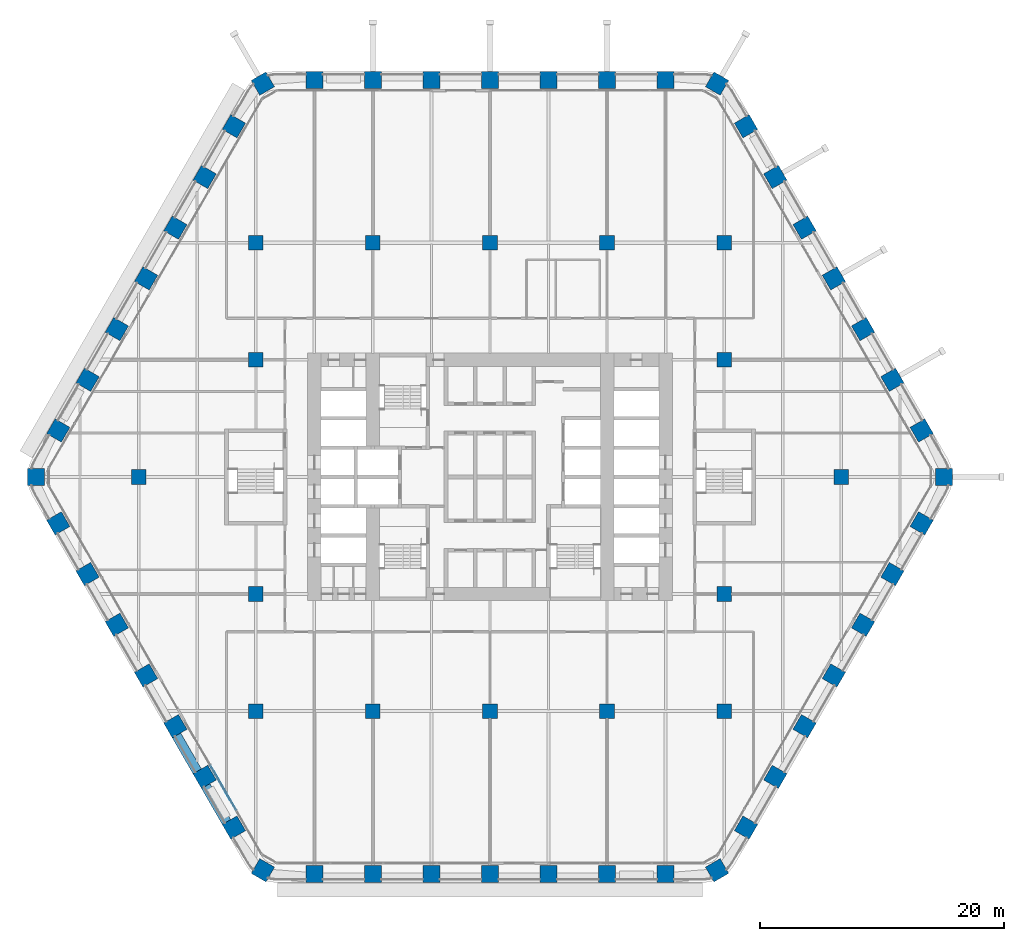
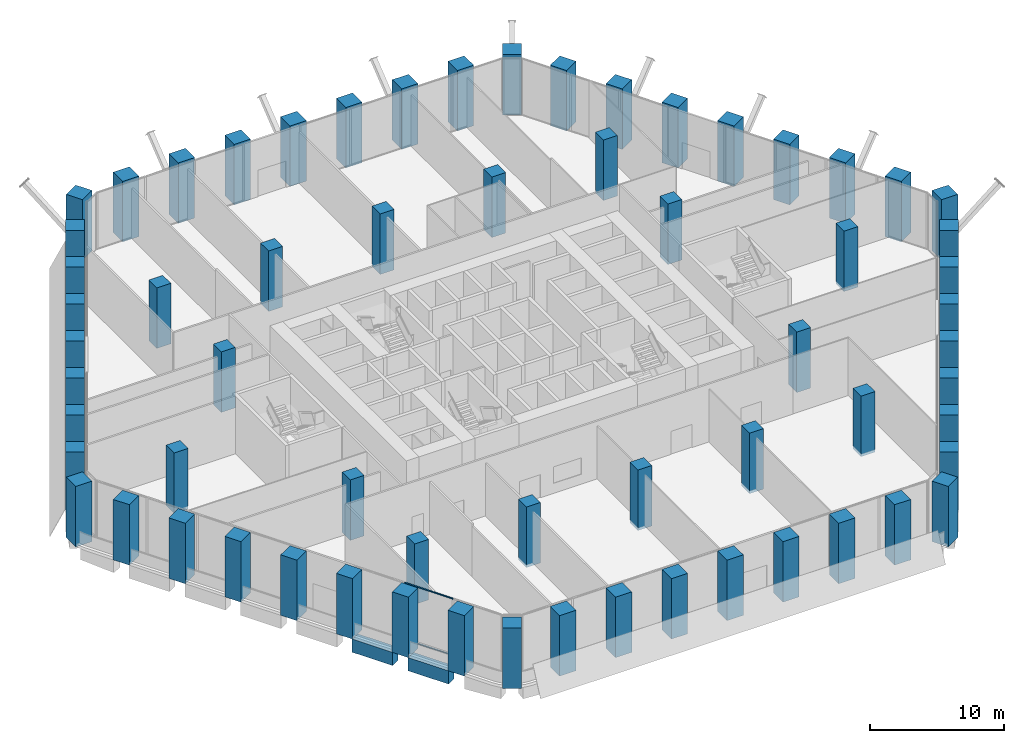
# One storey, part 1 of 29: 64 columns, 2 beams, 2 members, 1 element without a shape of its own.
"""IFC4 building model written with IfcOpenShell, lengths in metres."""

from ifc_helpers import new_model, si_unit, direction, frame, origin, origin_2d, place, context, subcontext, project, spatial, rectangle, extrude, material, material_profile, profile_set, type_object, element, aggregate, save


model = new_model("IFC4")

# Units and contexts
model_context = context("Model", 3, precision=1e-05, world=origin(), true_north=direction((0.0, 1.0)))
body_context = subcontext(model_context, "Body", "Model", "MODEL_VIEW")
ifc_project = project(units=[si_unit("LENGTHUNIT", "METRE"), si_unit("AREAUNIT", "SQUARE_METRE"), si_unit("VOLUMEUNIT", "CUBIC_METRE"), si_unit("PLANEANGLEUNIT", "RADIAN"), si_unit("MASSUNIT", "GRAM", prefix="KILO")], contexts=[model_context])

# Site, building, storey
site_placement = place(None, origin())
site = spatial("IfcSite", under=ifc_project, at=site_placement, CompositionType="ELEMENT")
building_placement = place(site_placement, origin())
building = spatial("IfcBuilding", under=site, at=building_placement, Name="Kolab Exchange Tower", CompositionType="ELEMENT")
storey_placement = place(building_placement, frame((0.0, 0.0, 33.39990234375)))
storey = spatial("IfcBuildingStorey", under=building, at=storey_placement, Name="L06", CompositionType="ELEMENT", Elevation=33.39990234375)

# Columns
ifc_material_1 = material(Name="Concrete C80/95", Category="concrete")
ifc_material_profile_1 = material_profile(ifc_material_1, rectangle(XDim=1.199951171875, YDim=1.199951171875, at=origin_2d()), Name="RC1200")
ifc_profile_set_1 = profile_set([ifc_material_profile_1], Name="Concrete C80/95")
column_type_1 = type_object("IfcColumnType", Name="INTERIOR COLUMN 1200 SQ C80/95", PredefinedType="COLUMN", material=ifc_profile_set_1)
for number, where, z_axis, x_axis, name in (
    (1, (-28.800048828125, 0.0, -0.25), (0.0, 0.0, 1.0), (1.0, 0.0, 0.0), "col/L06/I-G11"),
    (2, (-19.199951171875, -19.199951171875, -0.25), (0.0, 0.0, 1.0), (1.0, 0.0, 0.0), "col/L06/I-I7"),
    (3, (-19.199951171875, -9.60009765625, -0.25), (0.0, 0.0, 1.0), (1.0, 0.0, 0.0), "col/L06/I-I9"),
    (4, (-19.199951171875, 9.60009765625, -0.25), (0.0, 0.0, 1.0), (1.0, 0.0, 0.0), "col/L06/I-I13"),
    (5, (-19.199951171875, 19.199951171875, -0.25), (0.0, 0.0, 1.0), (1.0, 0.0, 0.0), "col/L06/I-I15"),
    (6, (-9.60009765625, -19.199951171875, -0.25), (0.0, 0.0, 1.0), (1.0, 0.0, 0.0), "col/L06/I-K7"),
    (7, (-9.60009765625, 19.199951171875, -0.25), (0.0, 0.0, 1.0), (1.0, 0.0, 0.0), "col/L06/I-K15"),
    (8, (0.0, -19.199951171875, -0.25), (0.0, 0.0, 1.0), (1.0, 0.0, 0.0), "col/L06/I-M7"),
    (9, (0.0, 19.199951171875, -0.25), (0.0, 0.0, 1.0), (1.0, 0.0, 0.0), "col/L06/I-M15"),
    (10, (9.60009765625, -19.199951171875, -0.25), (0.0, 0.0, 1.0), (1.0, 0.0, 0.0), "col/L06/I-O7"),
    (11, (9.60009765625, 19.199951171875, -0.25), (0.0, 0.0, 1.0), (1.0, 0.0, 0.0), "col/L06/I-O15"),
    (12, (19.199951171875, -19.199951171875, -0.25), (0.0, 0.0, 1.0), (1.0, 0.0, 0.0), "col/L06/I-Q7"),
    (13, (19.199951171875, -9.60009765625, -0.25), (0.0, 0.0, 1.0), (1.0, 0.0, 0.0), "col/L06/I-Q9"),
    (14, (19.199951171875, 9.60009765625, -0.25), (0.0, 0.0, 1.0), (1.0, 0.0, 0.0), "col/L06/I-Q13"),
    (15, (19.199951171875, 19.199951171875, -0.25), (0.0, 0.0, 1.0), (1.0, 0.0, 0.0), "col/L06/I-Q15"),
    (16, (28.800048828125, 0.0, -0.25), (0.0, 0.0, 1.0), (1.0, 0.0, 0.0), "col/L06/I-S11"),
):
    element("IfcColumn", number, at=place(storey_placement, frame(where, z_axis=z_axis, x_axis=x_axis)), inside=storey, type_object=column_type_1, Name=name, PredefinedType="COLUMN", context=body_context, shape_type="SweptSolid", body=[
        extrude(rectangle(XDim=1.199951171875, YDim=1.199951171875, at=origin_2d()), origin(), (0.0, 0.0, 1.0), 5.5),
    ])
ifc_material_profile_2 = material_profile(ifc_material_1, rectangle(XDim=1.39990234375, YDim=1.39990234375, at=origin_2d()), Name="RC1400")
ifc_profile_set_2 = profile_set([ifc_material_profile_2], Name="Concrete C80/95")
column_type_2 = type_object("IfcColumnType", Name="PERIMETER COLUMN 1400 SQ C80/95", PredefinedType="COLUMN", material=ifc_profile_set_2)
for number, where, z_axis, x_axis, name in (
    (17, (-18.617919921875, 32.247314453125, -0.25), (0.0, 0.0, 1.0), (0.866025403784, 0.5, 0.0), "col/L06/F1-01"),
    (18, (-14.39990234375, 32.555419921875, -0.25), (0.0, 0.0, 1.0), (1.0, 0.0, 0.0), "col/L06/F1-02"),
    (19, (-9.60009765625, 32.555419921875, -0.25), (0.0, 0.0, 1.0), (1.0, 0.0, 0.0), "col/L06/F1-03"),
    (20, (-4.800048828125, 32.555419921875, -0.25), (0.0, 0.0, 1.0), (1.0, 0.0, 0.0), "col/L06/F1-04"),
    (21, (0.0, 32.555419921875, -0.25), (0.0, 0.0, 1.0), (1.0, 0.0, 0.0), "col/L06/F1-05"),
    (22, (4.800048828125, 32.555419921875, -0.25), (0.0, 0.0, 1.0), (1.0, 0.0, 0.0), "col/L06/F1-06"),
    (23, (9.60009765625, 32.555419921875, -0.25), (0.0, 0.0, 1.0), (1.0, 0.0, 0.0), "col/L06/F1-07"),
    (24, (14.39990234375, 32.555419921875, -0.25), (0.0, 0.0, 1.0), (1.0, 0.0, 0.0), "col/L06/F1-08"),
    (25, (18.617919921875, 32.247314453125, -0.25), (0.0, 0.0, 1.0), (0.5, 0.866025403784, 0.0), "col/L06/F2-01"),
    (26, (20.993896484375, 28.74853515625, -0.25), (0.0, 0.0, 1.0), (0.866025403784, 0.5, 0.0), "col/L06/F2-02"),
    (27, (23.393798828125, 24.591552734375, -0.25), (0.0, 0.0, 1.0), (0.866025403784, 0.5, 0.0), "col/L06/F2-03"),
    (28, (25.793701171875, 20.4345703125, -0.25), (0.0, 0.0, 1.0), (0.866025403784, 0.5, 0.0), "col/L06/F2-04"),
    (29, (28.19384765625, 16.277587890625, -0.25), (0.0, 0.0, 1.0), (0.866025403784, 0.5, 0.0), "col/L06/F2-05"),
    (30, (30.59375, 12.120849609375, -0.25), (0.0, 0.0, 1.0), (0.866025403784, 0.5, 0.0), "col/L06/F2-06"),
    (31, (32.993896484375, 7.9638671875, -0.25), (0.0, 0.0, 1.0), (0.866025403784, 0.5, 0.0), "col/L06/F2-07"),
    (32, (35.393798828125, 3.806884765625, -0.25), (0.0, 0.0, 1.0), (0.866025403784, 0.5, 0.0), "col/L06/F2-08"),
    (33, (37.23583984375, 0.0, -0.25), (0.0, 0.0, 1.0), (1.0, 0.0, 0.0), "col/L06/F3-01"),
    (34, (35.393798828125, -3.806884765625, -0.25), (0.0, 0.0, 1.0), (0.5, 0.866025403784, 0.0), "col/L06/F3-02"),
    (35, (32.993896484375, -7.9638671875, -0.25), (0.0, 0.0, 1.0), (0.5, 0.866025403784, 0.0), "col/L06/F3-03"),
    (36, (30.59375, -12.120849609375, -0.25), (0.0, 0.0, 1.0), (0.5, 0.866025403784, 0.0), "col/L06/F3-04"),
    (37, (28.19384765625, -16.277587890625, -0.25), (0.0, 0.0, 1.0), (0.5, 0.866025403784, 0.0), "col/L06/F3-05"),
    (38, (25.793701171875, -20.4345703125, -0.25), (0.0, 0.0, 1.0), (0.5, 0.866025403784, 0.0), "col/L06/F3-06"),
    (39, (23.393798828125, -24.591552734375, -0.25), (0.0, 0.0, 1.0), (0.5, 0.866025403784, 0.0), "col/L06/F3-07"),
    (40, (20.993896484375, -28.74853515625, -0.25), (0.0, 0.0, 1.0), (0.5, 0.866025403784, 0.0), "col/L06/F3-08"),
    (41, (18.617919921875, -32.247314453125, -0.25), (0.0, 0.0, 1.0), (0.866025403784, 0.5, 0.0), "col/L06/F4-01"),
    (42, (14.39990234375, -32.555419921875, -0.25), (0.0, 0.0, 1.0), (1.0, 0.0, 0.0), "col/L06/F4-02"),
    (43, (9.60009765625, -32.555419921875, -0.25), (0.0, 0.0, 1.0), (1.0, 0.0, 0.0), "col/L06/F4-03"),
    (44, (4.800048828125, -32.555419921875, -0.25), (0.0, 0.0, 1.0), (1.0, 0.0, 0.0), "col/L06/F4-04"),
    (45, (0.0, -32.555419921875, -0.25), (0.0, 0.0, 1.0), (1.0, 0.0, 0.0), "col/L06/F4-05"),
    (46, (-4.800048828125, -32.555419921875, -0.25), (0.0, 0.0, 1.0), (1.0, 0.0, 0.0), "col/L06/F4-06"),
    (47, (-9.60009765625, -32.555419921875, -0.25), (0.0, 0.0, 1.0), (1.0, 0.0, 0.0), "col/L06/F4-07"),
    (48, (-14.39990234375, -32.555419921875, -0.25), (0.0, 0.0, 1.0), (1.0, 0.0, 0.0), "col/L06/F4-08"),
    (49, (-18.617919921875, -32.247314453125, -0.25), (0.0, 0.0, 1.0), (0.5, 0.866025403784, 0.0), "col/L06/F5-01"),
    (50, (-20.993896484375, -28.74853515625, -0.25), (0.0, 0.0, 1.0), (0.866025403784, 0.5, 0.0), "col/L06/F5-02"),
    (51, (-23.393798828125, -24.591552734375, -0.25), (0.0, 0.0, 1.0), (0.866025403784, 0.5, 0.0), "col/L06/F5-03"),
    (52, (-25.793701171875, -20.4345703125, -0.25), (0.0, 0.0, 1.0), (0.866025403784, 0.5, 0.0), "col/L06/F5-04"),
    (53, (-28.19384765625, -16.277587890625, -0.25), (0.0, 0.0, 1.0), (0.866025403784, 0.5, 0.0), "col/L06/F5-05"),
    (54, (-30.59375, -12.120849609375, -0.25), (0.0, 0.0, 1.0), (0.866025403784, 0.5, 0.0), "col/L06/F5-06"),
    (55, (-32.993896484375, -7.9638671875, -0.25), (0.0, 0.0, 1.0), (0.866025403784, 0.5, 0.0), "col/L06/F5-07"),
    (56, (-35.393798828125, -3.806884765625, -0.25), (0.0, 0.0, 1.0), (0.866025403784, 0.5, 0.0), "col/L06/F5-08"),
    (57, (-37.23583984375, 0.0, -0.25), (0.0, 0.0, 1.0), (1.0, 0.0, 0.0), "col/L06/F6-01"),
    (58, (-35.393798828125, 3.806884765625, -0.25), (0.0, 0.0, 1.0), (0.5, 0.866025403784, 0.0), "col/L06/F6-02"),
    (59, (-32.993896484375, 7.9638671875, -0.25), (0.0, 0.0, 1.0), (0.5, 0.866025403784, 0.0), "col/L06/F6-03"),
    (60, (-30.59375, 12.120849609375, -0.25), (0.0, 0.0, 1.0), (0.5, 0.866025403784, 0.0), "col/L06/F6-04"),
    (61, (-28.19384765625, 16.277587890625, -0.25), (0.0, 0.0, 1.0), (0.5, 0.866025403784, 0.0), "col/L06/F6-05"),
    (62, (-25.793701171875, 20.4345703125, -0.25), (0.0, 0.0, 1.0), (0.5, 0.866025403784, 0.0), "col/L06/F6-06"),
    (63, (-23.393798828125, 24.591552734375, -0.25), (0.0, 0.0, 1.0), (0.5, 0.866025403784, 0.0), "col/L06/F6-07"),
    (64, (-20.993896484375, 28.74853515625, -0.25), (0.0, 0.0, 1.0), (0.5, 0.866025403784, 0.0), "col/L06/F6-08"),
):
    element("IfcColumn", number, at=place(storey_placement, frame(where, z_axis=z_axis, x_axis=x_axis)), inside=storey, type_object=column_type_2, Name=name, PredefinedType="COLUMN", context=body_context, shape_type="SweptSolid", body=[
        extrude(rectangle(XDim=1.39990234375, YDim=1.39990234375, at=origin_2d()), origin(), (0.0, 0.0, 1.0), 5.5),
    ])

# Beams
ifc_material_profile_3 = material_profile(ifc_material_1, rectangle(XDim=0.800048828125, YDim=1.199951171875, at=origin_2d()), Name="RC800X1200")
ifc_profile_set_3 = profile_set([ifc_material_profile_3], Name="Concrete C80/95")
beam_type = type_object("IfcBeamType", Name="SPANDREL BEAM 800X1200 C80/95", PredefinedType="BEAM", material=ifc_profile_set_3)
beam_1_placement = place(storey_placement, frame((-21.58349609375, -28.326904296875, -0.849853515625), z_axis=(-0.499979528911, 0.866037222451, 0.0), x_axis=(-0.866037222451, -0.499979528911, 0.0)))
element("IfcBeam", 65, at=beam_1_placement, inside=storey, type_object=beam_type, Name="beam/L06/sp/F5-02", PredefinedType="BEAM", context=body_context, shape_type="SweptSolid", body=[
    extrude(rectangle(XDim=0.800048828125, YDim=1.199951171875, at=origin_2d()), origin(), (0.0, 0.0, 1.0), 3.480224609375),
])
beam_2_placement = place(storey_placement, frame((-23.983642578125, -24.169921875, -0.849853515625), z_axis=(-0.500009906705, 0.86601968407, 0.0), x_axis=(-0.86601968407, -0.500009906705, 0.0)))
element("IfcBeam", 66, at=beam_2_placement, inside=storey, type_object=beam_type, Name="beam/L06/sp/F5-03", PredefinedType="BEAM", context=body_context, shape_type="SweptSolid", body=[
    extrude(rectangle(XDim=0.800048828125, YDim=1.199951171875, at=origin_2d()), origin(), (0.0, 0.0, 1.0), 3.47998046875),
])

# Curtain wall, members
ifc_material_2 = material(Name="Aluminium EN AW-6063 T6", Category="aluminium")
curtain_wall_type = type_object("IfcCurtainWallType", Name="UNITISED LOW ZONE CURTAIN WALL", PredefinedType="NOTDEFINED", material=ifc_material_2)
curtain_wall_placement = place(storey_placement, origin())
curtain_wall = element("IfcCurtainWall", 67, at=curtain_wall_placement, inside=storey, type_object=curtain_wall_type, Name="cw/L06/F5-1", PredefinedType="NOTDEFINED")
ifc_material_profile_4 = material_profile(ifc_material_2, rectangle(XDim=0.06005859375, YDim=0.10009765625, at=origin_2d()), Name="RECT 60X100")
ifc_profile_set_4 = profile_set([ifc_material_profile_4], Name="Aluminium EN AW-6063 T6")
member_type = type_object("IfcMemberType", Name="UNITISED LOW ZONE TRANSOM 60 X 100", PredefinedType="USERDEFINED", material=ifc_profile_set_4)
member_1_placement = place(storey_placement, frame((-20.823974609375, -27.282470703125, 0.030029296875), z_axis=(-0.49999322259, 0.866029316688, 0.0), x_axis=(-0.866029316688, -0.49999322259, 0.0)))
member_1 = element("IfcMember", 68, at=member_1_placement, type_object=member_type, Name="CW1 transom 2.1", ObjectType="TRANSOM", PredefinedType="USERDEFINED", context=body_context, shape_type="SweptSolid", body=[
    extrude(rectangle(XDim=0.06005859375, YDim=0.10009765625, at=origin_2d()), origin(), (0.0, 0.0, 1.0), 4.16259765625),
])
member_2_placement = place(storey_placement, frame((-20.823974609375, -27.282470703125, 5.170166015625), z_axis=(-0.49999322259, 0.866029316688, 0.0), x_axis=(-0.866029316688, -0.49999322259, 0.0)))
member_2 = element("IfcMember", 69, at=member_2_placement, type_object=member_type, Name="CW1 transom 2.2", ObjectType="TRANSOM", PredefinedType="USERDEFINED", context=body_context, shape_type="SweptSolid", body=[
    extrude(rectangle(XDim=0.06005859375, YDim=0.10009765625, at=origin_2d()), origin(), (0.0, 0.0, 1.0), 4.16259765625),
])
aggregate(curtain_wall, [member_1, member_2])

save(model, "model.ifc")
